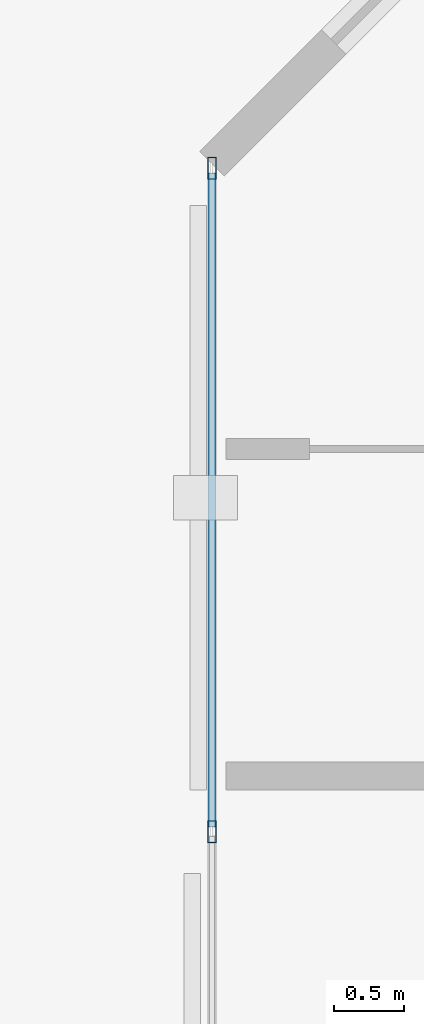
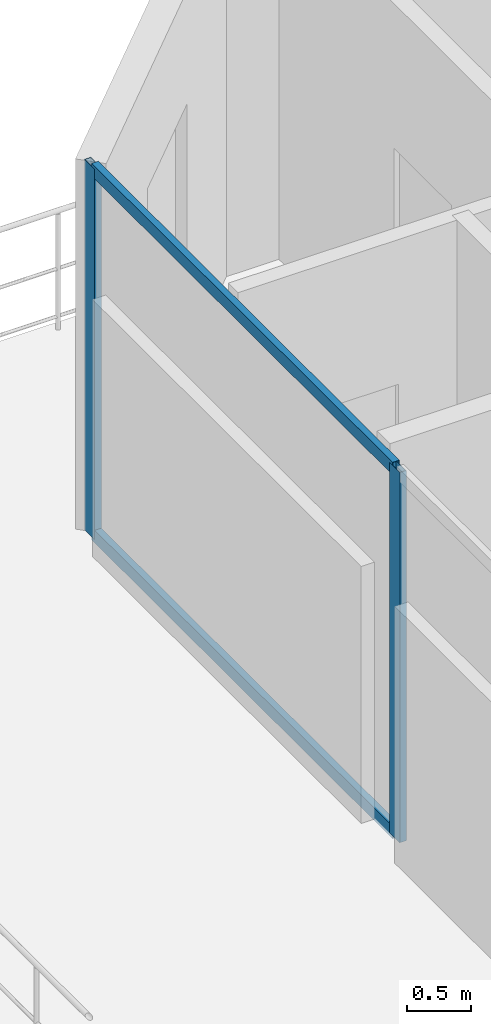
# One storey, part 10 of 18: 4 members, 1 element without a shape of its own.
"""IFC4 building model written with IfcOpenShell, lengths in metres."""

from ifc_helpers import new_model, si_unit, direction, frame, origin, origin_2d, place, context, subcontext, project, spatial, hollow_rectangle, extrude, material, layer, layer_set, material_profile, profile_set, type_object, element, aggregate, save


model = new_model("IFC4")

# Units and contexts
model_context = context("Model", 3, precision=1e-05, world=origin(), true_north=direction((0.0, 1.0)))
body_context = subcontext(model_context, "Body", "Model", "MODEL_VIEW")
ifc_project = project(units=[si_unit("LENGTHUNIT", "METRE"), si_unit("AREAUNIT", "SQUARE_METRE"), si_unit("VOLUMEUNIT", "CUBIC_METRE"), si_unit("PLANEANGLEUNIT", "RADIAN"), si_unit("MASSUNIT", "GRAM", prefix="KILO")], contexts=[model_context])

# Site, building, storey
site_placement = place(None, origin())
site = spatial("IfcSite", under=ifc_project, at=site_placement, CompositionType="ELEMENT")
building_placement = place(site_placement, origin())
building = spatial("IfcBuilding", under=site, at=building_placement, Name="Catumbela Crestline Tower", CompositionType="ELEMENT")
storey_placement = place(building_placement, frame((0.0, 0.0, 264.0)))
storey = spatial("IfcBuildingStorey", under=building, at=storey_placement, Name="L68", CompositionType="ELEMENT", Elevation=264.0)

# Curtain wall, members
ifc_material = material(Name="Aluminium alloy AW-6060-T66", Category="aluminium")
ifc_layer = layer(ifc_material, 0.18, Name="Aluminium alloy AW-6060-T66")
ifc_layer_set = layer_set([ifc_layer], Name="Aluminium alloy AW-6060-T66")
curtain_wall_type = type_object("IfcCurtainWallType", Name="CWU-Z4", PredefinedType="USERDEFINED", material=ifc_layer_set)
curtain_wall_placement = place(storey_placement, origin())
curtain_wall = element("IfcCurtainWall", 1, at=curtain_wall_placement, inside=storey, type_object=curtain_wall_type, Name="L68 Unitised Curtain Wall CW-L68-E9S1", ObjectType="UNITISED", PredefinedType="USERDEFINED")
ifc_material_profile_1 = material_profile(ifc_material, hollow_rectangle(XDim=0.06, YDim=0.16, WallThickness=0.004, at=origin_2d()), Name="ALU 160x60x4")
ifc_profile_set_1 = profile_set([ifc_material_profile_1], Name="Aluminium alloy AW-6060-T66")
member_type_1 = type_object("IfcMemberType", Name="MUL-160X60", PredefinedType="MULLION", material=ifc_profile_set_1)
member_1_placement = place(storey_placement, frame((9.2, 40.3675, 0.0), z_axis=(0.0, 0.0, 1.0), x_axis=(1.0, 0.0, 0.0)))
member_1 = element("IfcMember", 2, at=member_1_placement, type_object=member_type_1, Name="CWU-Z4 mullion 1", PredefinedType="MULLION", context=body_context, shape_type="SweptSolid", body=[
    extrude(hollow_rectangle(XDim=0.06, YDim=0.16, WallThickness=0.004, at=origin_2d()), origin(), (0.0, 0.0, 1.0), 3.53),
])
member_2_placement = place(storey_placement, frame((9.2, 35.6, 0.0), z_axis=(0.0, 0.0, 1.0), x_axis=(1.0, 0.0, 0.0)))
member_2 = element("IfcMember", 3, at=member_2_placement, type_object=member_type_1, Name="CWU-Z4 mullion 2", PredefinedType="MULLION", context=body_context, shape_type="SweptSolid", body=[
    extrude(hollow_rectangle(XDim=0.06, YDim=0.16, WallThickness=0.004, at=origin_2d()), origin(), (0.0, 0.0, 1.0), 3.53),
])
ifc_material_profile_2 = material_profile(ifc_material, hollow_rectangle(XDim=0.06, YDim=0.12, WallThickness=0.0035, at=origin_2d()), Name="ALU 120x60x3.5")
ifc_profile_set_2 = profile_set([ifc_material_profile_2], Name="Aluminium alloy AW-6060-T66")
member_type_2 = type_object("IfcMemberType", Name="TRN-120X60", PredefinedType="USERDEFINED", material=ifc_profile_set_2)
member_3_placement = place(storey_placement, frame((9.2, 40.335, 0.03), z_axis=(0.0, -1.0, 0.0), x_axis=(1.0, 0.0, 0.0)))
member_3 = element("IfcMember", 4, at=member_3_placement, type_object=member_type_2, Name="CWU-Z4 transom 1.1", ObjectType="TRANSOM", PredefinedType="USERDEFINED", context=body_context, shape_type="SweptSolid", body=[
    extrude(hollow_rectangle(XDim=0.06, YDim=0.12, WallThickness=0.0035, at=origin_2d()), origin(), (0.0, 0.0, 1.0), 4.7025),
])
member_4_placement = place(storey_placement, frame((9.2, 40.335, 3.5), z_axis=(0.0, -1.0, 0.0), x_axis=(1.0, 0.0, 0.0)))
member_4 = element("IfcMember", 5, at=member_4_placement, type_object=member_type_2, Name="CWU-Z4 transom 1.2", ObjectType="TRANSOM", PredefinedType="USERDEFINED", context=body_context, shape_type="SweptSolid", body=[
    extrude(hollow_rectangle(XDim=0.06, YDim=0.12, WallThickness=0.0035, at=origin_2d()), origin(), (0.0, 0.0, 1.0), 4.7025),
])
aggregate(curtain_wall, [member_1, member_2, member_3, member_4])

save(model, "model.ifc")
